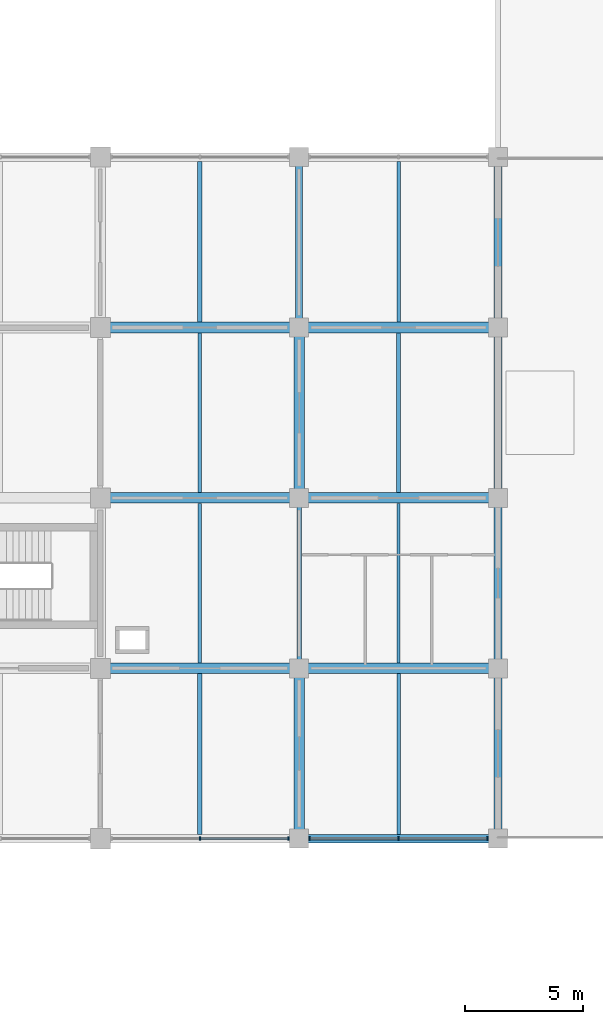
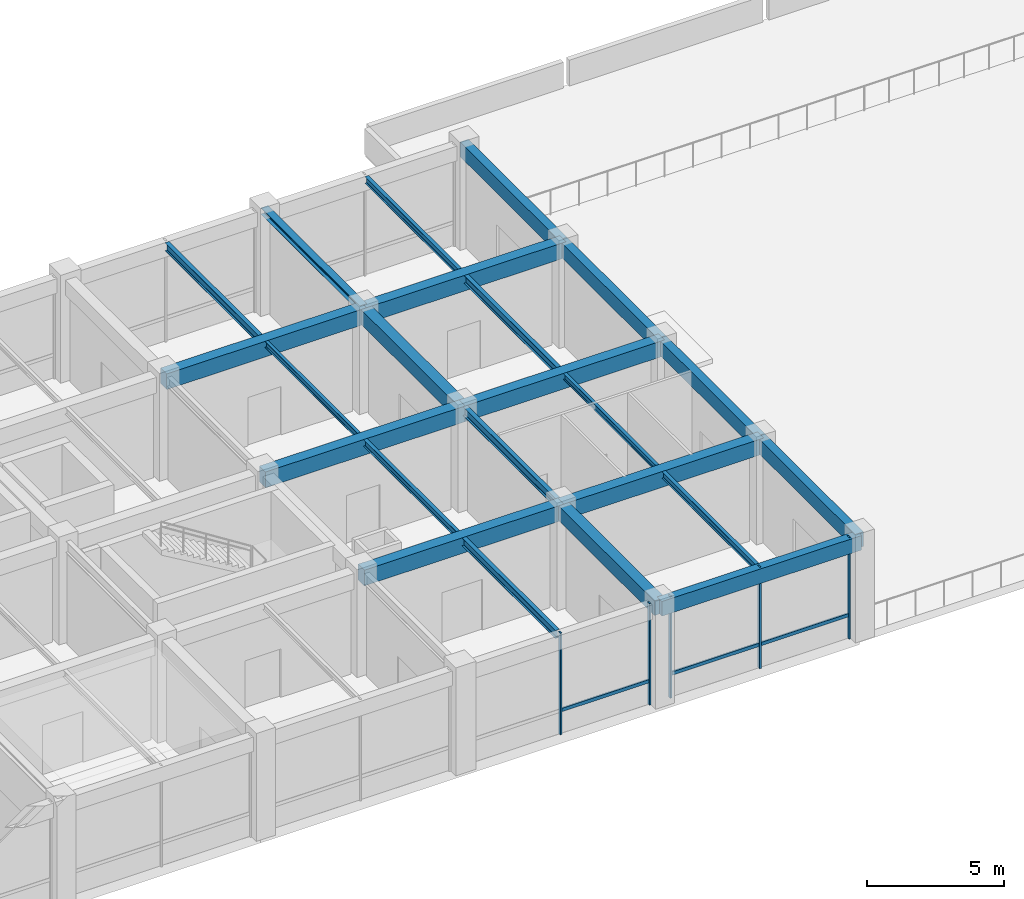
# One storey, part 33 of 45: 23 beams, 8 members, 2 elements without a shape of their own.
"""IFC4 building model written with IfcOpenShell, lengths in metres."""

from ifc_helpers import new_model, si_unit, derived_unit, direction, frame, origin, origin_2d, place, context, subcontext, project, spatial, rectangle, i_section, extrude, material, material_profile, profile_set, type_object, element, aggregate, save


model = new_model("IFC4")

# Units and contexts
model_context = context("Model", 3, precision=1e-05, world=origin(), true_north=direction((0.0, 1.0)))
body_context = subcontext(model_context, "Body", "Model", "MODEL_VIEW")
ifc_project = project(units=[si_unit("LENGTHUNIT", "METRE"), si_unit("AREAUNIT", "SQUARE_METRE"), si_unit("VOLUMEUNIT", "CUBIC_METRE"), si_unit("PLANEANGLEUNIT", "RADIAN"), si_unit("MASSUNIT", "GRAM", prefix="KILO"), derived_unit("THERMALTRANSMITTANCEUNIT", [(si_unit("MASSUNIT", "GRAM", prefix="KILO"), 1), (si_unit("TIMEUNIT", "SECOND"), -3), (si_unit("THERMODYNAMICTEMPERATUREUNIT", "KELVIN"), -1)])], contexts=[model_context])

# Site, building, storey
site_placement = place(None, origin())
site = spatial("IfcSite", under=ifc_project, at=site_placement, CompositionType="ELEMENT")
building_placement = place(site_placement, origin())
building = spatial("IfcBuilding", under=site, at=building_placement, Name="Veldstrom Oceanarium and Marine Research Institute", CompositionType="ELEMENT")
storey_placement = place(building_placement, frame((0.0, 0.0, 22.199951171875)))
storey = spatial("IfcBuildingStorey", under=building, at=storey_placement, Name="L04", CompositionType="ELEMENT", Elevation=22.199951171875)

# Curtain wall, members
ifc_material_1 = material(Name="Anodised Aluminium Framing", Category="aluminium")
curtain_wall_type = type_object("IfcCurtainWallType", Name="ARC-CW-CW03", PredefinedType="USERDEFINED", material=ifc_material_1)
curtain_wall_1_placement = place(storey_placement, origin())
curtain_wall_1 = element("IfcCurtainWall", 1, at=curtain_wall_1_placement, inside=storey, type_object=curtain_wall_type, Name="Curtain Wall CW03 CW-L04-086", ObjectType="Curtain wall", PredefinedType="USERDEFINED")
ifc_material_2 = material(Name="Anodised Aluminium Framing", Category="aluminium")
ifc_material_profile_1 = material_profile(ifc_material_2, rectangle(XDim=0.06494140625, YDim=0.14990234375, at=origin_2d()), Name="ALU-MUL-65x150")
ifc_profile_set_1 = profile_set([ifc_material_profile_1], Name="Anodised Aluminium Framing")
member_type_1 = type_object("IfcMemberType", Name="ARC-MUL-ML2", PredefinedType="MULLION", material=ifc_profile_set_1)
member_1_placement = place(storey_placement, frame((105.012451171875, 43.199951171875, 0.0), z_axis=(0.0, 0.0, 1.0), x_axis=(1.0, 0.0, 0.0)))
member_1 = element("IfcMember", 2, at=member_1_placement, type_object=member_type_1, Name="Curtain Wall Mullion CW-L04-086-MUL-2", PredefinedType="MULLION", context=body_context, shape_type="SweptSolid", body=[
    extrude(rectangle(XDim=0.06494140625, YDim=0.14990234375, at=origin_2d()), origin(), (0.0, 0.0, 1.0), 4.52001953125),
])
member_2_placement = place(storey_placement, frame((108.760009765625, 43.199951171875, 0.0), z_axis=(0.0, 0.0, 1.0), x_axis=(1.0, 0.0, 0.0)))
member_2 = element("IfcMember", 3, at=member_2_placement, type_object=member_type_1, Name="Curtain Wall Mullion CW-L04-086-MUL-3", PredefinedType="MULLION", context=body_context, shape_type="SweptSolid", body=[
    extrude(rectangle(XDim=0.06494140625, YDim=0.14990234375, at=origin_2d()), origin(), (0.0, 0.0, 1.0), 4.52001953125),
])

curtain_wall_2_placement = place(storey_placement, origin())
curtain_wall_2 = element("IfcCurtainWall", 4, at=curtain_wall_2_placement, inside=storey, type_object=curtain_wall_type, Name="Curtain Wall CW03 CW-L04-088", ObjectType="Curtain wall", PredefinedType="USERDEFINED")
member_3_placement = place(storey_placement, frame((109.639892578125, 43.199951171875, 0.0), z_axis=(0.0, 0.0, 1.0), x_axis=(1.0, 0.0, 0.0)))
member_3 = element("IfcMember", 5, at=member_3_placement, type_object=member_type_1, Name="Curtain Wall Mullion CW-L04-088-MUL-1", PredefinedType="MULLION", context=body_context, shape_type="SweptSolid", body=[
    extrude(rectangle(XDim=0.06494140625, YDim=0.14990234375, at=origin_2d()), origin(), (0.0, 0.0, 1.0), 4.52001953125),
])
member_4_placement = place(storey_placement, frame((113.39990234375, 43.199951171875, 0.0), z_axis=(0.0, 0.0, 1.0), x_axis=(1.0, 0.0, 0.0)))
member_4 = element("IfcMember", 6, at=member_4_placement, type_object=member_type_1, Name="Curtain Wall Mullion CW-L04-088-MUL-2", PredefinedType="MULLION", context=body_context, shape_type="SweptSolid", body=[
    extrude(rectangle(XDim=0.06494140625, YDim=0.14990234375, at=origin_2d()), origin(), (0.0, 0.0, 1.0), 4.52001953125),
])
member_5_placement = place(storey_placement, frame((117.159912109375, 43.199951171875, 0.0), z_axis=(0.0, 0.0, 1.0), x_axis=(1.0, 0.0, 0.0)))
member_5 = element("IfcMember", 7, at=member_5_placement, type_object=member_type_1, Name="Curtain Wall Mullion CW-L04-088-MUL-3", PredefinedType="MULLION", context=body_context, shape_type="SweptSolid", body=[
    extrude(rectangle(XDim=0.06494140625, YDim=0.14990234375, at=origin_2d()), origin(), (0.0, 0.0, 1.0), 4.52001953125),
])

# Member
ifc_material_3 = material(Name="Anodised Aluminium Framing", Category="aluminium")
ifc_material_profile_2 = material_profile(ifc_material_3, rectangle(XDim=0.074951171875, YDim=0.14990234375, at=origin_2d()), Name="ALU-TRN-75x150")
ifc_profile_set_2 = profile_set([ifc_material_profile_2], Name="Anodised Aluminium Framing")
member_type_2 = type_object("IfcMemberType", Name="ARC-TRN-TR1", PredefinedType="USERDEFINED", material=ifc_profile_set_2)
member_6_placement = place(storey_placement, frame((105.052490234375, 43.199951171875, 1.050048828125), z_axis=(1.0, 0.0, 0.0), x_axis=(0.0, 1.0, 0.0)))
member_6 = element("IfcMember", 8, at=member_6_placement, type_object=member_type_2, Name="Curtain Wall Transom CW-L04-086-TRN-2", ObjectType="Transom", PredefinedType="USERDEFINED", context=body_context, shape_type="SweptSolid", body=[
    extrude(rectangle(XDim=0.074951171875, YDim=0.14990234375, at=origin_2d()), origin(), (0.0, 0.0, 1.0), 3.66748046875),
])

aggregate(curtain_wall_1, [member_1, member_2, member_6])

member_7_placement = place(storey_placement, frame((109.679931640625, 43.199951171875, 1.050048828125), z_axis=(1.0, 0.0, 0.0), x_axis=(0.0, 1.0, 0.0)))
member_7 = element("IfcMember", 9, at=member_7_placement, type_object=member_type_2, Name="Curtain Wall Transom CW-L04-088-TRN-1", ObjectType="Transom", PredefinedType="USERDEFINED", context=body_context, shape_type="SweptSolid", body=[
    extrude(rectangle(XDim=0.074951171875, YDim=0.14990234375, at=origin_2d()), origin(), (0.0, 0.0, 1.0), 3.68017578125),
])

member_8_placement = place(storey_placement, frame((113.43994140625, 43.199951171875, 1.050048828125), z_axis=(1.0, 0.0, 0.0), x_axis=(0.0, 1.0, 0.0)))
member_8 = element("IfcMember", 10, at=member_8_placement, type_object=member_type_2, Name="Curtain Wall Transom CW-L04-088-TRN-2", ObjectType="Transom", PredefinedType="USERDEFINED", context=body_context, shape_type="SweptSolid", body=[
    extrude(rectangle(XDim=0.074951171875, YDim=0.14990234375, at=origin_2d()), origin(), (0.0, 0.0, 1.0), 3.68017578125),
])

aggregate(curtain_wall_2, [member_3, member_4, member_5, member_7, member_8])

# Beams
ifc_material_4 = material(Name="Concrete C40/50", Category="concrete")
ifc_material_profile_3 = material_profile(ifc_material_4, rectangle(XDim=0.449951171875, YDim=0.699951171875, at=origin_2d()), Name="RC-BM-450x700")
ifc_profile_set_3 = profile_set([ifc_material_profile_3], Name="Concrete C40/50")
beam_type_1 = type_object("IfcBeamType", Name="STR-BM-B04", PredefinedType="BEAM", material=ifc_profile_set_3)
for number, where, z_axis, x_axis, name in (
    (11, (100.800048828125, 50.39990234375, 4.1650390625), (1.0, 0.0, 0.0), (0.0, 1.0, 0.0), "Primary Beam B04 L04-2116"),
    (12, (100.800048828125, 57.60009765625, 4.1650390625), (1.0, 0.0, 0.0), (0.0, 1.0, 0.0), "Primary Beam B04 L04-2117"),
    (13, (100.800048828125, 64.800048828125, 4.1650390625), (1.0, 0.0, 0.0), (0.0, 1.0, 0.0), "Primary Beam B04 L04-2118"),
):
    element("IfcBeam", number, at=place(storey_placement, frame(where, z_axis=z_axis, x_axis=x_axis)), inside=storey, type_object=beam_type_1, Name=name, PredefinedType="BEAM", context=body_context, shape_type="SweptSolid", body=[
        extrude(rectangle(XDim=0.449951171875, YDim=0.699951171875, at=origin_2d()), origin(), (0.0, 0.0, 1.0), 8.39990234375),
    ])
for number, where, z_axis, x_axis, name in (
    (14, (109.199951171875, 50.39990234375, 4.1650390625), (1.0, 0.0, 0.0), (0.0, 1.0, 0.0), "Primary Beam B04 L04-2121"),
    (15, (109.199951171875, 57.60009765625, 4.1650390625), (1.0, 0.0, 0.0), (0.0, 1.0, 0.0), "Primary Beam B04 L04-2122"),
    (16, (109.199951171875, 64.800048828125, 4.1650390625), (1.0, 0.0, 0.0), (0.0, 1.0, 0.0), "Primary Beam B04 L04-2123"),
):
    element("IfcBeam", number, at=place(storey_placement, frame(where, z_axis=z_axis, x_axis=x_axis)), inside=storey, type_object=beam_type_1, Name=name, PredefinedType="BEAM", context=body_context, shape_type="SweptSolid", body=[
        extrude(rectangle(XDim=0.449951171875, YDim=0.699951171875, at=origin_2d()), origin(), (0.0, 0.0, 1.0), 8.400146484375),
    ])
ifc_material_5 = material(Name="Concrete C40/50", Category="concrete")
ifc_material_profile_4 = material_profile(ifc_material_5, rectangle(XDim=0.449951171875, YDim=0.64990234375, at=origin_2d()), Name="RC-BM-450x650")
ifc_profile_set_4 = profile_set([ifc_material_profile_4], Name="Concrete C40/50")
beam_type_2 = type_object("IfcBeamType", Name="STR-BM-B05", PredefinedType="BEAM", material=ifc_profile_set_4)
for number, where, z_axis, x_axis, name in (
    (17, (109.199951171875, 43.199951171875, 4.18994140625), (0.0, 1.0, 0.0), (-1.0, 0.0, 0.0), "Primary Beam B05 L04-2145"),
    (18, (109.199951171875, 57.60009765625, 4.18994140625), (0.0, 1.0, 0.0), (-1.0, 0.0, 0.0), "Primary Beam B05 L04-2147"),
):
    element("IfcBeam", number, at=place(storey_placement, frame(where, z_axis=z_axis, x_axis=x_axis)), inside=storey, type_object=beam_type_2, Name=name, PredefinedType="BEAM", context=body_context, shape_type="SweptSolid", body=[
        extrude(rectangle(XDim=0.449951171875, YDim=0.64990234375, at=origin_2d()), origin(), (0.0, 0.0, 1.0), 7.199951171875),
    ])
ifc_material_6 = material(Name="Steel S355JR", Category="steel")
ifc_material_profile_5 = material_profile(ifc_material_6, i_section(OverallWidth=0.300048828125, OverallDepth=0.2900390625, WebThickness=0.008544921875, FlangeThickness=0.013916015625, FilletRadius=0.027099609375, at=origin_2d()), Name="HEA 300")
ifc_profile_set_5 = profile_set([ifc_material_profile_5], Name="Steel S355JR")
beam_type_3 = type_object("IfcBeamType", Name="STR-BM-SB10", PredefinedType="BEAM", material=ifc_profile_set_5)
beam_1_placement = place(storey_placement, frame((109.199951171875, 64.800048828125, 4.3701171875), z_axis=(0.0, 1.0, 0.0), x_axis=(-1.0, 0.0, 0.0)))
element("IfcBeam", 19, at=beam_1_placement, inside=storey, type_object=beam_type_3, Name="Steel Tie Beam SB10 L04-2148", PredefinedType="BEAM", context=body_context, shape_type="SweptSolid", body=[
    extrude(i_section(OverallWidth=0.300048828125, OverallDepth=0.2900390625, WebThickness=0.008544921875, FlangeThickness=0.013916015625, FilletRadius=0.027099609375, at=origin_2d()), origin(), (0.0, 0.0, 1.0), 7.199951171875),
])
ifc_material_7 = material(Name="Steel S355JR", Category="steel")
ifc_material_profile_6 = material_profile(ifc_material_7, i_section(OverallWidth=0.179931640625, OverallDepth=0.39990234375, WebThickness=0.008544921875, FlangeThickness=0.013427734375, FilletRadius=0.02099609375, at=origin_2d()), Name="IPE 400")
ifc_profile_set_6 = profile_set([ifc_material_profile_6], Name="Steel S355JR")
beam_type_4 = type_object("IfcBeamType", Name="STR-BM-SB8", PredefinedType="BEAM", material=ifc_profile_set_6)
beam_2_placement = place(storey_placement, frame((109.199951171875, 50.39990234375, 4.31494140625), z_axis=(0.0, 1.0, 0.0), x_axis=(-1.0, 0.0, 0.0)))
element("IfcBeam", 20, at=beam_2_placement, inside=storey, type_object=beam_type_4, Name="Steel Tie Beam SB8 L04-2146", PredefinedType="BEAM", context=body_context, shape_type="SweptSolid", body=[
    extrude(i_section(OverallWidth=0.179931640625, OverallDepth=0.39990234375, WebThickness=0.008544921875, FlangeThickness=0.013427734375, FilletRadius=0.02099609375, at=origin_2d()), origin(), (0.0, 0.0, 1.0), 7.2001953125),
])
ifc_material_8 = material(Name="Steel S355JR", Category="steel")
ifc_material_profile_7 = material_profile(ifc_material_8, i_section(OverallWidth=0.169921875, OverallDepth=0.360107421875, WebThickness=0.008056640625, FlangeThickness=0.0126953125, FilletRadius=0.01806640625, at=origin_2d()), Name="IPE 360")
ifc_profile_set_7 = profile_set([ifc_material_profile_7], Name="Steel S355JR")
beam_type_5 = type_object("IfcBeamType", Name="STR-JST-SJ1", PredefinedType="JOIST", material=ifc_profile_set_7)
for number, where, z_axis, x_axis, name in (
    (21, (105.0, 43.375, 4.3349609375), (0.0, 1.0, 0.0), (-1.0, 0.0, 0.0), "Secondary Joist SJ1 L04-2166"),
    (22, (105.0, 65.02490234375, 4.3349609375), (0.0, 1.0, 0.0), (-1.0, 0.0, 0.0), "Secondary Joist SJ1 L04-2169"),
):
    element("IfcBeam", number, at=place(storey_placement, frame(where, z_axis=z_axis, x_axis=x_axis)), inside=storey, type_object=beam_type_5, Name=name, PredefinedType="JOIST", context=body_context, shape_type="SweptSolid", body=[
        extrude(i_section(OverallWidth=0.169921875, OverallDepth=0.360107421875, WebThickness=0.008056640625, FlangeThickness=0.0126953125, FilletRadius=0.01806640625, at=origin_2d()), origin(), (0.0, 0.0, 1.0), 6.800048828125),
    ])
beam_3_placement = place(storey_placement, frame((113.39990234375, 57.824951171875, 4.3349609375), z_axis=(0.0, 1.0, 0.0), x_axis=(-1.0, 0.0, 0.0)))
element("IfcBeam", 23, at=beam_3_placement, inside=storey, type_object=beam_type_5, Name="Secondary Joist SJ1 L04-2172", PredefinedType="JOIST", context=body_context, shape_type="SweptSolid", body=[
    extrude(i_section(OverallWidth=0.169921875, OverallDepth=0.360107421875, WebThickness=0.008056640625, FlangeThickness=0.0126953125, FilletRadius=0.01806640625, at=origin_2d()), origin(), (0.0, 0.0, 1.0), 6.75),
])
ifc_material_9 = material(Name="Steel S355JR", Category="steel")
ifc_material_profile_8 = material_profile(ifc_material_9, i_section(OverallWidth=0.14990234375, OverallDepth=0.300048828125, WebThickness=0.007080078125, FlangeThickness=0.0107421875, FilletRadius=0.014892578125, at=origin_2d()), Name="IPE 300")
ifc_profile_set_8 = profile_set([ifc_material_profile_8], Name="Steel S355JR")
beam_type_6 = type_object("IfcBeamType", Name="STR-JST-SJ2", PredefinedType="JOIST", material=ifc_profile_set_8)
beam_4_placement = place(storey_placement, frame((105.0, 50.625, 4.364990234375), z_axis=(0.0, 1.0, 0.0), x_axis=(-1.0, 0.0, 0.0)))
element("IfcBeam", 24, at=beam_4_placement, inside=storey, type_object=beam_type_6, Name="Secondary Joist SJ2 L04-2167", PredefinedType="JOIST", context=body_context, shape_type="SweptSolid", body=[
    extrude(i_section(OverallWidth=0.14990234375, OverallDepth=0.300048828125, WebThickness=0.007080078125, FlangeThickness=0.0107421875, FilletRadius=0.014892578125, at=origin_2d()), origin(), (0.0, 0.0, 1.0), 6.75),
])
for number, where, z_axis, x_axis, name in (
    (25, (113.39990234375, 43.375, 4.364990234375), (0.0, 1.0, 0.0), (-1.0, 0.0, 0.0), "Secondary Joist SJ2 L04-2170"),
    (26, (113.39990234375, 65.02490234375, 4.364990234375), (0.0, 1.0, 0.0), (-1.0, 0.0, 0.0), "Secondary Joist SJ2 L04-2173"),
):
    element("IfcBeam", number, at=place(storey_placement, frame(where, z_axis=z_axis, x_axis=x_axis)), inside=storey, type_object=beam_type_6, Name=name, PredefinedType="JOIST", context=body_context, shape_type="SweptSolid", body=[
        extrude(i_section(OverallWidth=0.14990234375, OverallDepth=0.300048828125, WebThickness=0.007080078125, FlangeThickness=0.0107421875, FilletRadius=0.014892578125, at=origin_2d()), origin(), (0.0, 0.0, 1.0), 6.800048828125),
    ])
ifc_material_10 = material(Name="Steel S355JR", Category="steel")
ifc_material_profile_9 = material_profile(ifc_material_10, i_section(OverallWidth=0.135009765625, OverallDepth=0.27001953125, WebThickness=0.006591796875, FlangeThickness=0.01025390625, FilletRadius=0.014892578125, at=origin_2d()), Name="IPE 270")
ifc_profile_set_9 = profile_set([ifc_material_profile_9], Name="Steel S355JR")
beam_type_7 = type_object("IfcBeamType", Name="STR-JST-SJ3", PredefinedType="JOIST", material=ifc_profile_set_9)
for number, where, z_axis, x_axis, name in (
    (27, (105.0, 57.824951171875, 4.380126953125), (0.0, 1.0, 0.0), (-1.0, 0.0, 0.0), "Secondary Joist SJ3 L04-2168"),
    (28, (113.39990234375, 50.625, 4.380126953125), (0.0, 1.0, 0.0), (-1.0, 0.0, 0.0), "Secondary Joist SJ3 L04-2171"),
):
    element("IfcBeam", number, at=place(storey_placement, frame(where, z_axis=z_axis, x_axis=x_axis)), inside=storey, type_object=beam_type_7, Name=name, PredefinedType="JOIST", context=body_context, shape_type="SweptSolid", body=[
        extrude(i_section(OverallWidth=0.135009765625, OverallDepth=0.27001953125, WebThickness=0.006591796875, FlangeThickness=0.01025390625, FilletRadius=0.014892578125, at=origin_2d()), origin(), (0.0, 0.0, 1.0), 6.75),
    ])
ifc_material_11 = material(Name="Concrete C40/50", Category="concrete")
ifc_material_profile_10 = material_profile(ifc_material_11, rectangle(XDim=0.35009765625, YDim=0.64990234375, at=origin_2d()), Name="RC-SPN-350x650")
ifc_profile_set_10 = profile_set([ifc_material_profile_10], Name="Concrete C40/50")
beam_type_8 = type_object("IfcBeamType", Name="STR-SPN-SP1", PredefinedType="SPANDREL", material=ifc_profile_set_10)
beam_5_placement = place(storey_placement, frame((109.199951171875, 43.199951171875, 4.18994140625), z_axis=(1.0, 0.0, 0.0), x_axis=(0.0, 1.0, 0.0)))
element("IfcBeam", 29, at=beam_5_placement, inside=storey, type_object=beam_type_8, Name="Perimeter Spandrel SPB1 L04-2120", PredefinedType="SPANDREL", context=body_context, shape_type="SweptSolid", body=[
    extrude(rectangle(XDim=0.35009765625, YDim=0.64990234375, at=origin_2d()), origin(), (0.0, 0.0, 1.0), 8.400146484375),
])
beam_6_placement = place(storey_placement, frame((117.60009765625, 43.199951171875, 4.18994140625), z_axis=(0.0, 1.0, 0.0), x_axis=(-1.0, 0.0, 0.0)))
element("IfcBeam", 30, at=beam_6_placement, inside=storey, type_object=beam_type_8, Name="Perimeter Spandrel SPB1 L04-2149", PredefinedType="SPANDREL", context=body_context, shape_type="SweptSolid", body=[
    extrude(rectangle(XDim=0.35009765625, YDim=0.64990234375, at=origin_2d()), origin(), (0.0, 0.0, 1.0), 7.199951171875),
])
beam_7_placement = place(storey_placement, frame((117.60009765625, 50.39990234375, 4.18994140625), z_axis=(0.0, 1.0, 0.0), x_axis=(-1.0, 0.0, 0.0)))
element("IfcBeam", 31, at=beam_7_placement, inside=storey, type_object=beam_type_8, Name="Perimeter Spandrel SPB1 L04-2150", PredefinedType="SPANDREL", context=body_context, shape_type="SweptSolid", body=[
    extrude(rectangle(XDim=0.35009765625, YDim=0.64990234375, at=origin_2d()), origin(), (0.0, 0.0, 1.0), 7.2001953125),
])
for number, where, z_axis, x_axis, name in (
    (32, (117.60009765625, 57.60009765625, 4.18994140625), (0.0, 1.0, 0.0), (-1.0, 0.0, 0.0), "Perimeter Spandrel SPB1 L04-2151"),
    (33, (117.60009765625, 64.800048828125, 4.18994140625), (0.0, 1.0, 0.0), (-1.0, 0.0, 0.0), "Perimeter Spandrel SPB1 L04-2152"),
):
    element("IfcBeam", number, at=place(storey_placement, frame(where, z_axis=z_axis, x_axis=x_axis)), inside=storey, type_object=beam_type_8, Name=name, PredefinedType="SPANDREL", context=body_context, shape_type="SweptSolid", body=[
        extrude(rectangle(XDim=0.35009765625, YDim=0.64990234375, at=origin_2d()), origin(), (0.0, 0.0, 1.0), 7.199951171875),
    ])

save(model, "model.ifc")
